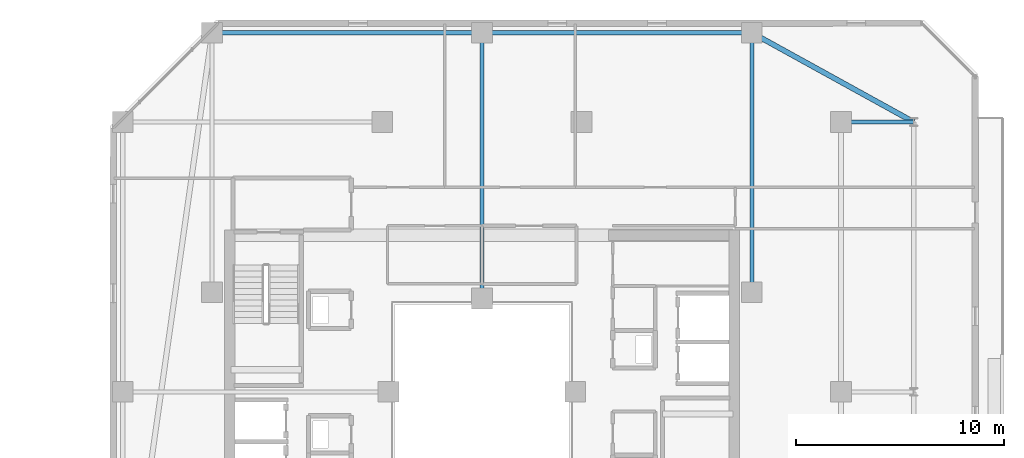
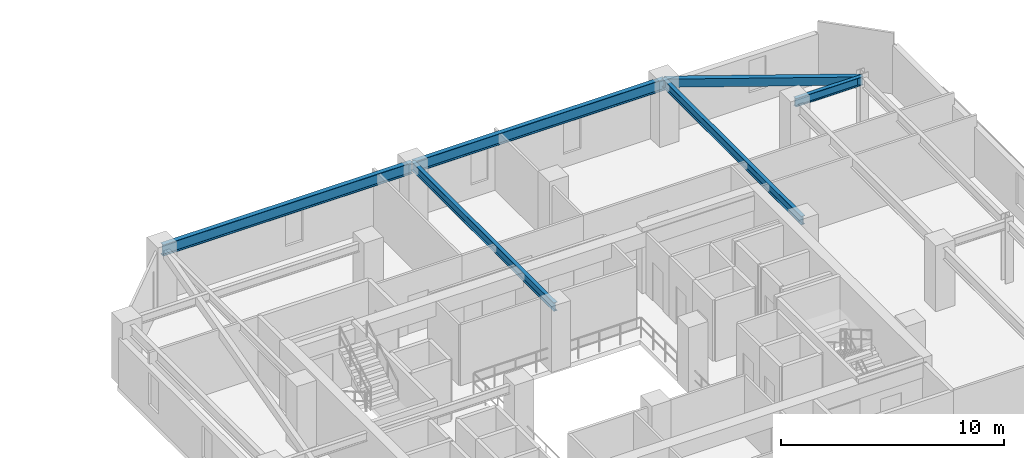
# One storey, part 15 of 32: 6 beams.
"""IFC4 building model written with IfcOpenShell, lengths in metres."""

from ifc_helpers import new_model, si_unit, direction, frame, origin, origin_2d, place, context, subcontext, project, spatial, hollow_rectangle, i_section, extrude, material, material_profile, profile_set, type_object, element, save


model = new_model("IFC4")

# Units and contexts
model_context = context("Model", 3, precision=1e-05, world=origin(), true_north=direction((0.0, 1.0)))
body_context = subcontext(model_context, "Body", "Model", "MODEL_VIEW")
ifc_project = project(units=[si_unit("LENGTHUNIT", "METRE"), si_unit("AREAUNIT", "SQUARE_METRE"), si_unit("VOLUMEUNIT", "CUBIC_METRE"), si_unit("PLANEANGLEUNIT", "RADIAN"), si_unit("MASSUNIT", "GRAM", prefix="KILO")], contexts=[model_context])

# Site, building, storey
site_placement = place(None, origin())
site = spatial("IfcSite", under=ifc_project, at=site_placement, CompositionType="ELEMENT")
building_placement = place(site_placement, origin())
building = spatial("IfcBuilding", under=site, at=building_placement, Name="Thornwick Lancets Civic Towers", CompositionType="ELEMENT")
storey_placement = place(building_placement, frame((0.0, 0.0, 243.89990234375)))
storey = spatial("IfcBuildingStorey", under=building, at=storey_placement, Name="L65", CompositionType="ELEMENT", Elevation=243.89990234375)

# Beams
ifc_material = material(Name="Steel S355JR", Category="steel")
ifc_material_profile_1 = material_profile(ifc_material, i_section(OverallWidth=0.230224609375, OverallDepth=0.6171875, WebThickness=0.01318359375, FlangeThickness=0.022216796875, FilletRadius=0.0126953125, at=origin_2d()), Name="UKB 610x229x140")
ifc_profile_set_1 = profile_set([ifc_material_profile_1], Name="Steel S355JR")
beam_type_1 = type_object("IfcBeamType", Name="BM_GIRD_610_140", PredefinedType="BEAM", material=ifc_profile_set_1)
beam_1_placement = place(storey_placement, frame((101.5, 44.300048828125, 3.051513671875), z_axis=(-1.0, 0.0, 0.0), x_axis=(0.0, -1.0, 0.0)))
element("IfcBeam", 1, at=beam_1_placement, inside=storey, type_object=beam_type_1, Name="BM-SPINE-L65-B-3-4", PredefinedType="BEAM", context=body_context, shape_type="SweptSolid", body=[
    extrude(i_section(OverallWidth=0.230224609375, OverallDepth=0.6171875, WebThickness=0.01318359375, FlangeThickness=0.022216796875, FilletRadius=0.0126953125, at=origin_2d()), origin(), (0.0, 0.0, 1.0), 13.0),
])
beam_2_placement = place(storey_placement, frame((88.419921875, 44.300048828125, 3.051513671875), z_axis=(-1.0, 0.0, 0.0), x_axis=(0.0, -1.0, 0.0)))
element("IfcBeam", 2, at=beam_2_placement, inside=storey, type_object=beam_type_1, Name="BM-SPINE-L65-B-4-5", PredefinedType="BEAM", context=body_context, shape_type="SweptSolid", body=[
    extrude(i_section(OverallWidth=0.230224609375, OverallDepth=0.6171875, WebThickness=0.01318359375, FlangeThickness=0.022216796875, FilletRadius=0.0126953125, at=origin_2d()), origin(), (0.0, 0.0, 1.0), 12.919921875),
])
ifc_material_profile_2 = material_profile(ifc_material, i_section(OverallWidth=0.19287109375, OverallDepth=0.46728515625, WebThickness=0.011474609375, FlangeThickness=0.01953125, FilletRadius=0.01025390625, at=origin_2d()), Name="UKB 457x191x98")
ifc_profile_set_2 = profile_set([ifc_material_profile_2], Name="Steel S355JR")
beam_type_2 = type_object("IfcBeamType", Name="BM_JOIST_457_98", PredefinedType="JOIST", material=ifc_profile_set_2)
beam_3_placement = place(storey_placement, frame((105.800048828125, 40.0, 3.12646484375), z_axis=(1.0, 0.0, 0.0), x_axis=(0.0, 1.0, 0.0)))
element("IfcBeam", 3, at=beam_3_placement, inside=storey, type_object=beam_type_2, Name="BM-RAD-L65-B03", PredefinedType="JOIST", context=body_context, shape_type="SweptSolid", body=[
    extrude(i_section(OverallWidth=0.19287109375, OverallDepth=0.46728515625, WebThickness=0.011474609375, FlangeThickness=0.01953125, FilletRadius=0.01025390625, at=origin_2d()), origin(), (0.0, 0.0, 1.0), 3.5),
])
beam_4_placement = place(storey_placement, frame((101.5, 31.800048828125, 3.12646484375), z_axis=(0.0, 1.0, 0.0), x_axis=(-1.0, 0.0, 0.0)))
element("IfcBeam", 4, at=beam_4_placement, inside=storey, type_object=beam_type_2, Name="BM-RADIN-L65-B04", PredefinedType="JOIST", context=body_context, shape_type="SweptSolid", body=[
    extrude(i_section(OverallWidth=0.19287109375, OverallDepth=0.46728515625, WebThickness=0.011474609375, FlangeThickness=0.01953125, FilletRadius=0.01025390625, at=origin_2d()), origin(), (0.0, 0.0, 1.0), 12.5),
])
beam_5_placement = place(storey_placement, frame((88.5, 31.5, 3.12646484375), z_axis=(0.0, 1.0, 0.0), x_axis=(-1.0, 0.0, 0.0)))
element("IfcBeam", 5, at=beam_5_placement, inside=storey, type_object=beam_type_2, Name="BM-RADIN-L65-B05", PredefinedType="JOIST", context=body_context, shape_type="SweptSolid", body=[
    extrude(i_section(OverallWidth=0.19287109375, OverallDepth=0.46728515625, WebThickness=0.011474609375, FlangeThickness=0.01953125, FilletRadius=0.01025390625, at=origin_2d()), origin(), (0.0, 0.0, 1.0), 12.800048828125),
])
ifc_material_profile_3 = material_profile(ifc_material, hollow_rectangle(XDim=0.25, YDim=0.449951171875, WallThickness=0.01611328125, at=origin_2d()), Name="RHS 450x250x16")
ifc_profile_set_3 = profile_set([ifc_material_profile_3], Name="Steel S355JR")
beam_type_3 = type_object("IfcBeamType", Name="BM_RING_RHS450", PredefinedType="BEAM", material=ifc_profile_set_3)
beam_6_placement = place(storey_placement, frame((109.300048828125, 40.0, 3.135009765625), z_axis=(-0.875740348708, 0.482782395749, 0.0), x_axis=(-0.482782395749, -0.875740348708, 0.0)))
element("IfcBeam", 6, at=beam_6_placement, inside=storey, type_object=beam_type_3, Name="BM-CHAMF-L65-B-C0", PredefinedType="BEAM", context=body_context, shape_type="SweptSolid", body=[
    extrude(hollow_rectangle(XDim=0.25, YDim=0.449951171875, WallThickness=0.01611328125, at=origin_2d()), origin(), (0.0, 0.0, 1.0), 8.90673828125),
])

save(model, "model.ifc")
